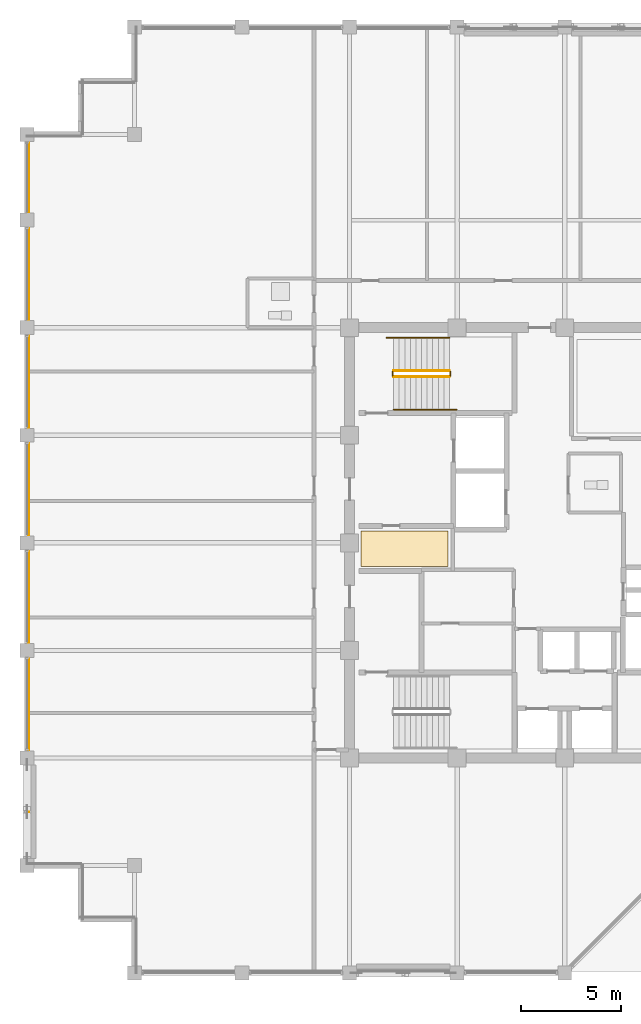
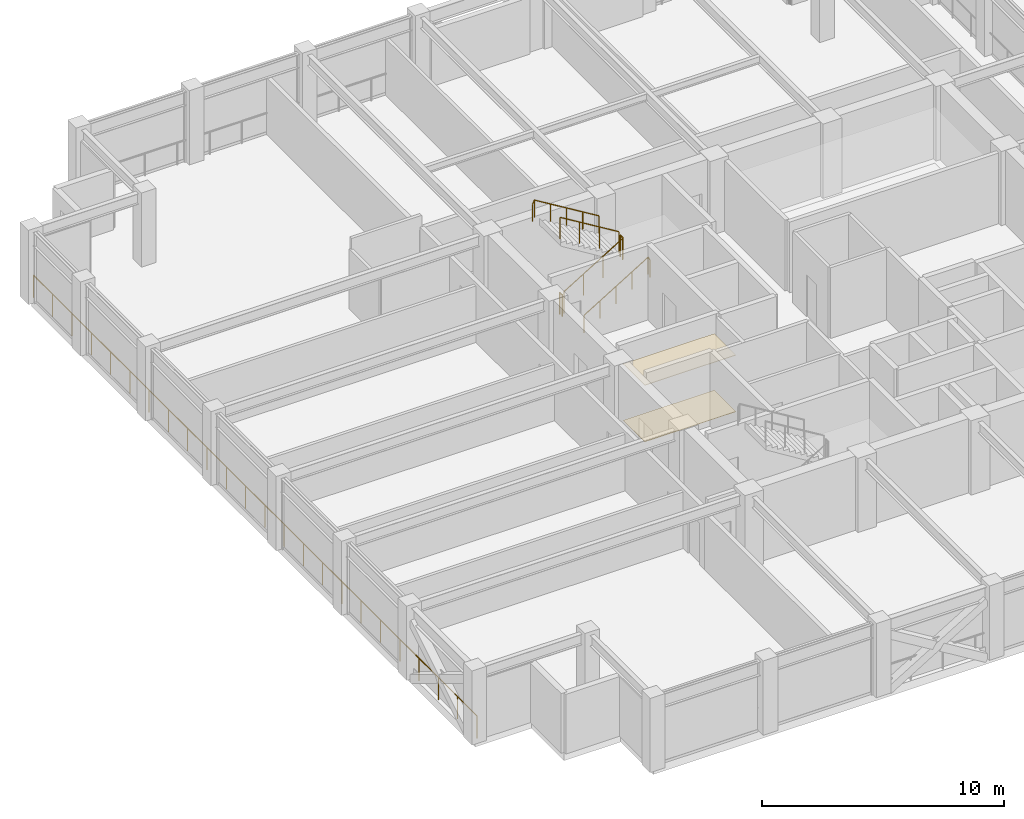
# One storey, part 30 of 34: 7 railings, 2 coverings.
"""IFC4 building model written with IfcOpenShell, lengths in metres."""

from ifc_helpers import new_model, si_unit, direction, frame, origin, origin_2d, place, context, subcontext, project, spatial, polyline, circle, outline, extrude, material, layer, layer_set, type_object, element, save


model = new_model("IFC4")

# Units and contexts
model_context = context("Model", 3, precision=1e-05, world=origin(), true_north=direction((0.0, 1.0)))
body_context = subcontext(model_context, "Body", "Model", "MODEL_VIEW")
ifc_project = project(units=[si_unit("LENGTHUNIT", "METRE"), si_unit("AREAUNIT", "SQUARE_METRE"), si_unit("VOLUMEUNIT", "CUBIC_METRE"), si_unit("PLANEANGLEUNIT", "RADIAN"), si_unit("MASSUNIT", "GRAM", prefix="KILO")], contexts=[model_context])

# Site, building, storey
site_placement = place(None, origin())
site = spatial("IfcSite", under=ifc_project, at=site_placement, CompositionType="ELEMENT")
building_placement = place(site_placement, origin())
building = spatial("IfcBuilding", under=site, at=building_placement, Name="Surkhivell Harbour Commons", CompositionType="ELEMENT")
storey_placement = place(building_placement, frame((0.0, 0.0, 258.75)))
storey = spatial("IfcBuildingStorey", under=building, at=storey_placement, Name="L67", CompositionType="ELEMENT", Elevation=258.75)

# Coverings
ifc_material_1 = material(Name="Perforated acoustic mineral-fibre ceiling tile", Category="other")
ifc_layer_1 = layer(ifc_material_1, 0.02490234375)
ifc_layer_set_1 = layer_set([ifc_layer_1], Name="Perforated acoustic mineral-fibre ceiling tile")
covering_type_1 = type_object("IfcCoveringType", Name="COV-CEIL-AC", PredefinedType="CEILING", material=ifc_layer_set_1)
covering_1_placement = place(storey_placement, frame((0.0, 0.0, 2.85205078125)))
element("IfcCovering", 1, at=covering_1_placement, inside=storey, type_object=covering_type_1, Name="L67 Suspended Acoustic Ceiling 1", PredefinedType="CEILING", context=body_context, shape_type="SweptSolid", body=[
    extrude(outline(polyline([(-10.219970703125, -1.179931640625), (-5.8701171875, -1.179931640625), (-5.8701171875, 0.60009765625), (-10.219970703125, 0.60009765625), (-10.219970703125, -1.179931640625)])), origin(), (0.0, 0.0, 1.0), 0.02490234375),
])
ifc_material_2 = material(Name="Engineered acoustic oak timber flooring", Category="wood")
ifc_layer_2 = layer(ifc_material_2, 0.02001953125)
ifc_layer_set_2 = layer_set([ifc_layer_2], Name="Engineered acoustic oak timber flooring")
covering_type_2 = type_object("IfcCoveringType", Name="COV-FLR-TIM", PredefinedType="FLOORING", material=ifc_layer_set_2)
covering_2_placement = place(storey_placement, origin())
element("IfcCovering", 2, at=covering_2_placement, inside=storey, type_object=covering_type_2, Name="L67 Interior Floor Finish 1", PredefinedType="FLOORING", context=body_context, shape_type="SweptSolid", body=[
    extrude(outline(polyline([(-10.219970703125, -1.179931640625), (-5.8701171875, -1.179931640625), (-5.8701171875, 0.60009765625), (-10.219970703125, 0.60009765625), (-10.219970703125, -1.179931640625)])), origin(), (0.0, 0.0, 1.0), 0.02001953125),
])

# Railings
ifc_material_3 = material(Name="Laminated safety glass and stainless steel S355 balustrade", Category="steel")
railing_type_1 = type_object("IfcRailingType", Name="RAL-BAL-1150", PredefinedType="BALUSTRADE", material=ifc_material_3)
railing_1_placement = place(storey_placement, frame((-26.909912109375, 20.5, 0.0)))
element("IfcRailing", 3, at=railing_1_placement, inside=storey, type_object=railing_type_1, Name="L67 Perimeter Safety Guard 13", PredefinedType="BALUSTRADE", context=body_context, shape_type="SweptSolid", body=[
    extrude(circle(Radius=0.02392578125, at=origin_2d()), frame((0.0, 0.0, 1.1259765625), z_axis=(0.0, -1.0, 0.0), x_axis=(1.0, 0.0, 0.0)), (0.0, 0.0, 1.0), 36.699951171875),
    extrude(circle(Radius=0.02099609375, at=origin_2d()), origin(), (0.0, 0.0, 1.0), 1.101806640625),
    extrude(circle(Radius=0.02099609375, at=origin_2d()), frame((0.0, -1.595703125, 0.0)), (0.0, 0.0, 1.0), 1.101806640625),
    extrude(circle(Radius=0.02099609375, at=origin_2d()), frame((0.0, -3.19140625, 0.0)), (0.0, 0.0, 1.0), 1.101806640625),
    extrude(circle(Radius=0.02099609375, at=origin_2d()), frame((0.0, -4.786865234375, 0.0)), (0.0, 0.0, 1.0), 1.101806640625),
    extrude(circle(Radius=0.02099609375, at=origin_2d()), frame((0.0, -6.382568359375, 0.0)), (0.0, 0.0, 1.0), 1.101806640625),
    extrude(circle(Radius=0.02099609375, at=origin_2d()), frame((0.0, -7.978271484375, 0.0)), (0.0, 0.0, 1.0), 1.101806640625),
    extrude(circle(Radius=0.02099609375, at=origin_2d()), frame((0.0, -9.573974609375, 0.0)), (0.0, 0.0, 1.0), 1.101806640625),
    extrude(circle(Radius=0.02099609375, at=origin_2d()), frame((0.0, -11.16943359375, 0.0)), (0.0, 0.0, 1.0), 1.101806640625),
    extrude(circle(Radius=0.02099609375, at=origin_2d()), frame((0.0, -12.76513671875, 0.0)), (0.0, 0.0, 1.0), 1.101806640625),
    extrude(circle(Radius=0.02099609375, at=origin_2d()), frame((0.0, -14.36083984375, 0.0)), (0.0, 0.0, 1.0), 1.101806640625),
    extrude(circle(Radius=0.02099609375, at=origin_2d()), frame((0.0, -15.95654296875, 0.0)), (0.0, 0.0, 1.0), 1.101806640625),
    extrude(circle(Radius=0.02099609375, at=origin_2d()), frame((0.0, -17.55224609375, 0.0)), (0.0, 0.0, 1.0), 1.101806640625),
    extrude(circle(Radius=0.02099609375, at=origin_2d()), frame((0.0, -19.147705078125, 0.0)), (0.0, 0.0, 1.0), 1.101806640625),
    extrude(circle(Radius=0.02099609375, at=origin_2d()), frame((0.0, -20.743408203125, 0.0)), (0.0, 0.0, 1.0), 1.101806640625),
    extrude(circle(Radius=0.02099609375, at=origin_2d()), frame((0.0, -22.339111328125, 0.0)), (0.0, 0.0, 1.0), 1.101806640625),
    extrude(circle(Radius=0.02099609375, at=origin_2d()), frame((0.0, -23.934814453125, 0.0)), (0.0, 0.0, 1.0), 1.101806640625),
    extrude(circle(Radius=0.02099609375, at=origin_2d()), frame((0.0, -25.530517578125, 0.0)), (0.0, 0.0, 1.0), 1.101806640625),
    extrude(circle(Radius=0.02099609375, at=origin_2d()), frame((0.0, -27.1259765625, 0.0)), (0.0, 0.0, 1.0), 1.101806640625),
    extrude(circle(Radius=0.02099609375, at=origin_2d()), frame((0.0, -28.7216796875, 0.0)), (0.0, 0.0, 1.0), 1.101806640625),
    extrude(circle(Radius=0.02099609375, at=origin_2d()), frame((0.0, -30.3173828125, 0.0)), (0.0, 0.0, 1.0), 1.101806640625),
    extrude(circle(Radius=0.02099609375, at=origin_2d()), frame((0.0, -31.9130859375, 0.0)), (0.0, 0.0, 1.0), 1.101806640625),
    extrude(circle(Radius=0.02099609375, at=origin_2d()), frame((0.0, -33.508544921875, 0.0)), (0.0, 0.0, 1.0), 1.101806640625),
    extrude(circle(Radius=0.02099609375, at=origin_2d()), frame((0.0, -35.104248046875, 0.0)), (0.0, 0.0, 1.0), 1.101806640625),
    extrude(circle(Radius=0.02099609375, at=origin_2d()), frame((0.0, -36.699951171875, 0.0)), (0.0, 0.0, 1.0), 1.101806640625),
])
ifc_material_4 = material(Name="Galvanised and painted steel S355 guard rail", Category="steel")
railing_type_2 = type_object("IfcRailingType", Name="RAL-ST-GRD1100", PredefinedType="GUARDRAIL", material=ifc_material_4)
railing_2_placement = place(storey_placement, frame((-8.590087890625, 8.340087890625, 0.17041015625)))
element("IfcRailing", 4, at=railing_2_placement, inside=storey, type_object=railing_type_2, Name="L67 ST1 stair guard 1", PredefinedType="GUARDRAIL", context=body_context, shape_type="SweptSolid", body=[
    extrude(circle(Radius=0.02392578125, at=origin_2d()), frame((0.0, 0.0, 1.076171875), z_axis=(0.854169791009, 0.0, 0.51999420009), x_axis=(0.0, 1.0, 0.0)), (0.0, 0.0, 1.0), 3.278076171875),
    extrude(circle(Radius=0.02099609375, at=origin_2d()), origin(), (0.0, 0.0, 1.0), 1.052001953125),
    extrude(circle(Radius=0.02099609375, at=origin_2d()), frame((0.933349609375, 0.0, 0.568115234375)), (0.0, 0.0, 1.0), 1.052001953125),
    extrude(circle(Radius=0.02099609375, at=origin_2d()), frame((1.86669921875, 0.0, 1.136474609375)), (0.0, 0.0, 1.0), 1.052001953125),
    extrude(circle(Radius=0.02099609375, at=origin_2d()), frame((2.800048828125, 0.0, 1.70458984375)), (0.0, 0.0, 1.0), 1.052001953125),
])
railing_3_placement = place(storey_placement, frame((-5.739990234375, 8.389892578125, 1.875)))
element("IfcRailing", 5, at=railing_3_placement, inside=storey, type_object=railing_type_2, Name="L67 ST1 stair guard 2", PredefinedType="GUARDRAIL", context=body_context, shape_type="SweptSolid", body=[
    extrude(circle(Radius=0.02392578125, at=origin_2d()), frame((0.0, 0.0, 1.076171875), z_axis=(0.0, 1.0, 0.0), x_axis=(-1.0, 0.0, 0.0)), (0.0, 0.0, 1.0), 0.2001953125),
    extrude(circle(Radius=0.02099609375, at=origin_2d()), origin(), (0.0, 0.0, 1.0), 1.052001953125),
    extrude(circle(Radius=0.02099609375, at=origin_2d()), frame((0.0, 0.2001953125, 0.0)), (0.0, 0.0, 1.0), 1.052001953125),
])
railing_4_placement = place(storey_placement, frame((-5.7900390625, 8.639892578125, 2.04541015625)))
element("IfcRailing", 6, at=railing_4_placement, inside=storey, type_object=railing_type_2, Name="L67 ST1 stair guard 3", PredefinedType="GUARDRAIL", context=body_context, shape_type="SweptSolid", body=[
    extrude(circle(Radius=0.02392578125, at=origin_2d()), frame((0.0, 0.0, 1.076171875), z_axis=(-0.854169791009, 0.0, 0.51999420009), x_axis=(0.0, -1.0, 0.0)), (0.0, 0.0, 1.0), 3.278076171875),
    extrude(circle(Radius=0.02099609375, at=origin_2d()), origin(), (0.0, 0.0, 1.0), 1.052001953125),
    extrude(circle(Radius=0.02099609375, at=origin_2d()), frame((-0.933349609375, 0.0, 0.568115234375)), (0.0, 0.0, 1.0), 1.052001953125),
    extrude(circle(Radius=0.02099609375, at=origin_2d()), frame((-1.86669921875, 0.0, 1.136474609375)), (0.0, 0.0, 1.0), 1.052001953125),
    extrude(circle(Radius=0.02099609375, at=origin_2d()), frame((-2.800048828125, 0.0, 1.70458984375)), (0.0, 0.0, 1.0), 1.052001953125),
])
railing_5_placement = place(storey_placement, frame((-8.639892578125, 8.389892578125, 0.0)))
element("IfcRailing", 7, at=railing_5_placement, inside=storey, type_object=railing_type_2, Name="L67 ST1 stair guard 4", PredefinedType="GUARDRAIL", context=body_context, shape_type="SweptSolid", body=[
    extrude(circle(Radius=0.02392578125, at=origin_2d()), frame((0.0, 0.0, 1.076171875), z_axis=(0.0, 1.0, 0.0), x_axis=(-1.0, 0.0, 0.0)), (0.0, 0.0, 1.0), 0.2001953125),
    extrude(circle(Radius=0.02099609375, at=origin_2d()), origin(), (0.0, 0.0, 1.0), 1.052001953125),
    extrude(circle(Radius=0.02099609375, at=origin_2d()), frame((0.0, 0.2001953125, 0.0)), (0.0, 0.0, 1.0), 1.052001953125),
])
ifc_material_5 = material(Name="Brushed stainless steel S355 handrail", Category="steel")
railing_type_3 = type_object("IfcRailingType", Name="RAL-ST-HND900", PredefinedType="HANDRAIL", material=ifc_material_5)
railing_6_placement = place(storey_placement, frame((-8.590087890625, 6.68994140625, 0.17041015625)))
element("IfcRailing", 8, at=railing_6_placement, inside=storey, type_object=railing_type_3, Name="L67 ST1 stair handrail 1", PredefinedType="HANDRAIL", context=body_context, shape_type="SweptSolid", body=[
    extrude(circle(Radius=0.02392578125, at=origin_2d()), frame((0.0, 0.0, 0.8759765625), z_axis=(0.854177636135, 0.0, 0.519981313056), x_axis=(0.0, 1.0, 0.0)), (0.0, 0.0, 1.0), 3.60595703125),
    extrude(circle(Radius=0.02392578125, at=origin_2d()), frame((3.080078125, 0.0, 2.7509765625), z_axis=(0.425297416671, 0.0, -0.905053648892), x_axis=(0.0, 1.0, 0.0)), (0.0, 0.0, 1.0), 0.188232421875),
    extrude(circle(Radius=0.02099609375, at=origin_2d()), origin(), (0.0, 0.0, 1.0), 0.851806640625),
    extrude(circle(Radius=0.02099609375, at=origin_2d()), frame((0.77001953125, 0.0, 0.46875)), (0.0, 0.0, 1.0), 0.851806640625),
    extrude(circle(Radius=0.02099609375, at=origin_2d()), frame((1.5400390625, 0.0, 0.9375)), (0.0, 0.0, 1.0), 0.851806640625),
    extrude(circle(Radius=0.02099609375, at=origin_2d()), frame((2.31005859375, 0.0, 1.40625)), (0.0, 0.0, 1.0), 0.851806640625),
    extrude(circle(Radius=0.02099609375, at=origin_2d()), frame((3.080078125, 0.0, 1.875)), (0.0, 0.0, 1.0), 0.851806640625),
    extrude(circle(Radius=0.02099609375, at=origin_2d()), frame((3.16015625, 0.0, 1.70458984375)), (0.0, 0.0, 1.0), 0.851806640625),
])
railing_7_placement = place(storey_placement, frame((-5.7900390625, 10.2900390625, 2.04541015625)))
element("IfcRailing", 9, at=railing_7_placement, inside=storey, type_object=railing_type_3, Name="L67 ST1 stair handrail 2", PredefinedType="HANDRAIL", context=body_context, shape_type="SweptSolid", body=[
    extrude(circle(Radius=0.02392578125, at=origin_2d()), frame((0.0, 0.0, 0.8759765625), z_axis=(-0.854177636135, 0.0, 0.519981313056), x_axis=(0.0, -1.0, 0.0)), (0.0, 0.0, 1.0), 3.60595703125),
    extrude(circle(Radius=0.02392578125, at=origin_2d()), frame((-3.080078125, 0.0, 2.7509765625), z_axis=(-0.424234432967, 0.0, -0.905552398199), x_axis=(0.0, -1.0, 0.0)), (0.0, 0.0, 1.0), 0.188232421875),
    extrude(circle(Radius=0.02099609375, at=origin_2d()), origin(), (0.0, 0.0, 1.0), 0.851806640625),
    extrude(circle(Radius=0.02099609375, at=origin_2d()), frame((-0.77001953125, 0.0, 0.46875)), (0.0, 0.0, 1.0), 0.851806640625),
    extrude(circle(Radius=0.02099609375, at=origin_2d()), frame((-1.5400390625, 0.0, 0.9375)), (0.0, 0.0, 1.0), 0.851806640625),
    extrude(circle(Radius=0.02099609375, at=origin_2d()), frame((-2.31005859375, 0.0, 1.40625)), (0.0, 0.0, 1.0), 0.851806640625),
    extrude(circle(Radius=0.02099609375, at=origin_2d()), frame((-3.080078125, 0.0, 1.875)), (0.0, 0.0, 1.0), 0.851806640625),
    extrude(circle(Radius=0.02099609375, at=origin_2d()), frame((-3.159912109375, 0.0, 1.70458984375)), (0.0, 0.0, 1.0), 0.851806640625),
])

save(model, "model.ifc")
